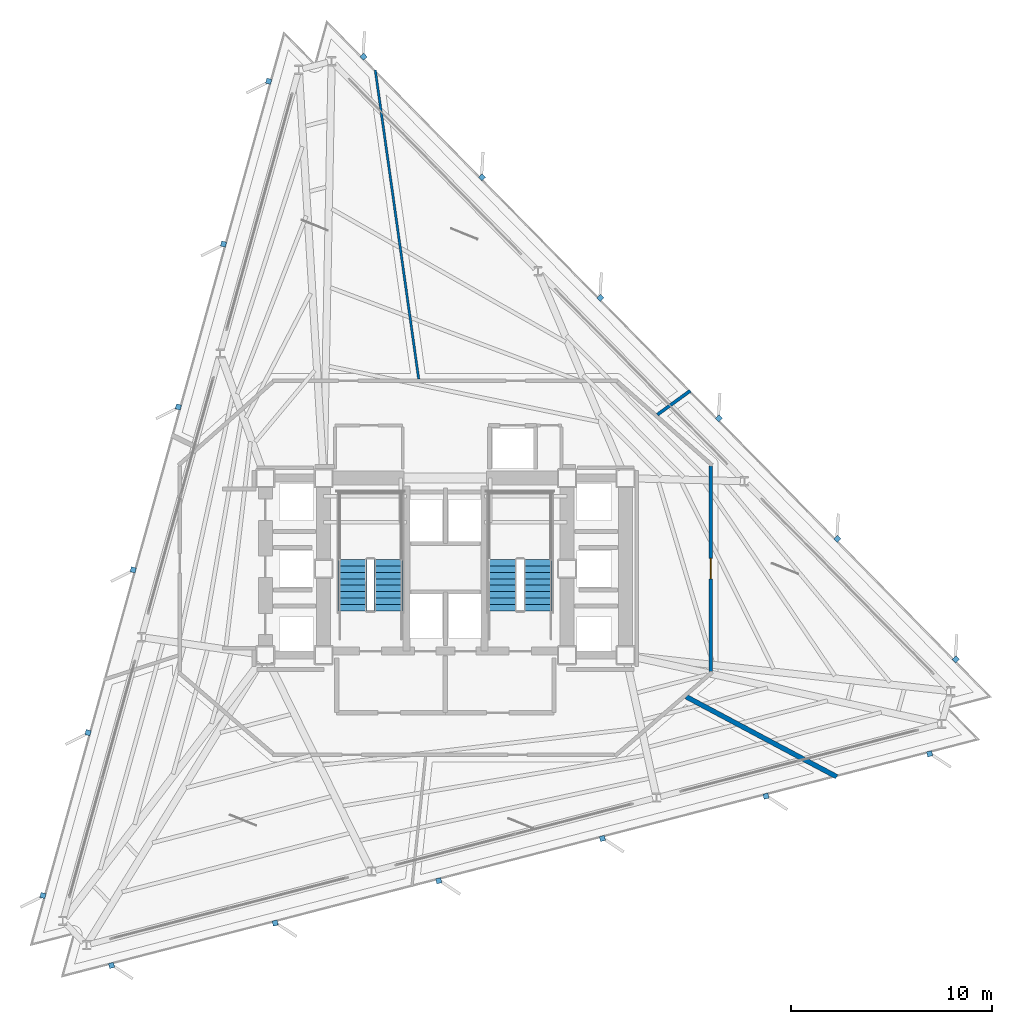
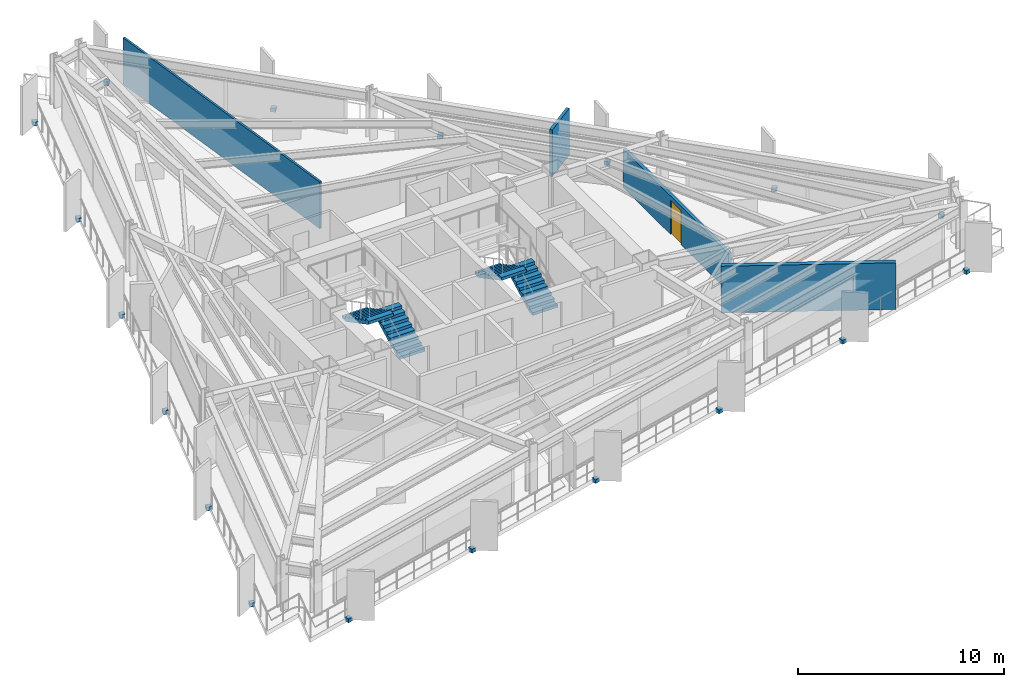
# One storey, part 8 of 11: 18 discrete accessories, 4 stair flights, 4 walls, 1 door, 1 opening, 2 elements without a shape of their own.
"""IFC4 building model written with IfcOpenShell, lengths in metres."""

import ifcopenshell
import ifcopenshell.guid

model = None  # the IFC model being written
_history = None  # IfcOwnerHistory: only IFC2X3 demands one
_inside = {}  # id of a spatial element -> (the spatial element, [elements in it])
_under = {}  # id of a project, library or spatial element -> (it, [spatial elements below it])
_declared = {}  # id of a project -> (the project, [libraries it declares])
_typed = {}  # id of a type object -> (the type object, [elements of that type])
_made_of = {}  # id of a material, layer set ... -> (it, [elements and type objects made of it])


def new_model(schema):
    """Start an empty IFC model of exactly this schema.

    Asked for "IFC4X3", IfcOpenShell would pick the latest addendum, in which some entities
    have other attributes; the version numbers below select the first issue.
    IFC2X3 requires an IfcOwnerHistory on every rooted entity: one is made here for all.
    """
    global model, _history
    if schema == "IFC4X3":
        model = ifcopenshell.file(schema_version=(4, 3, 0, 0))
    else:
        model = ifcopenshell.file(schema=schema)
    _inside.clear()
    _under.clear()
    _declared.clear()
    _typed.clear()
    _made_of.clear()
    _history = None
    if model.schema == "IFC2X3":
        org = make("IfcOrganization", Name="unknown")
        user = make(
            "IfcPersonAndOrganization",
            ThePerson=make("IfcPerson", FamilyName="unknown"),
            TheOrganization=org,
        )
        app = make(
            "IfcApplication",
            ApplicationDeveloper=org,
            Version="unknown",
            ApplicationFullName="unknown",
            ApplicationIdentifier="unknown",
        )
        _history = make(
            "IfcOwnerHistory",
            OwningUser=user,
            OwningApplication=app,
            ChangeAction="ADDED",
            CreationDate=0,
        )
    return model


def make(cls, **values):
    """One entity of the class cls with the attributes given. An attribute that is None is left unset."""
    return model.create_entity(
        cls, **{name: value for name, value in values.items() if value is not None}
    )


def rooted(cls, **values):
    """An entity with a GlobalId (a new one), such as an element, a storey or a relation."""
    return make(cls, GlobalId=ifcopenshell.guid.new(), OwnerHistory=_history, **values)


def si_unit(unit_type, name, prefix=None):
    """IfcSIUnit, for example si_unit("LENGTHUNIT", "METRE", prefix="MILLI")."""
    return make("IfcSIUnit", UnitType=unit_type, Prefix=prefix, Name=name)


def assignment(units):
    """IfcUnitAssignment: the units of a project."""
    return None if units is None else make("IfcUnitAssignment", Units=units)


def point(xyz):
    """IfcCartesianPoint."""
    return None if xyz is None else make("IfcCartesianPoint", Coordinates=xyz)


def direction(xyz):
    """IfcDirection."""
    return None if xyz is None else make("IfcDirection", DirectionRatios=xyz)


def frame(location, z_axis=None, x_axis=None):
    """IfcAxis2Placement3D, a coordinate frame: its origin and axes. An axis left out is left unset."""
    return make(
        "IfcAxis2Placement3D",
        Location=point(location),
        Axis=direction(z_axis),
        RefDirection=direction(x_axis),
    )


def frame_2d(location, x_axis=None):
    """IfcAxis2Placement2D, a coordinate frame in the plane: its origin and x axis."""
    return make(
        "IfcAxis2Placement2D", Location=point(location), RefDirection=direction(x_axis)
    )


def origin():
    """The frame at (0, 0, 0) with its axes left unset."""
    return frame((0.0, 0.0, 0.0))


def origin_2d():
    """The frame at (0, 0) in the plane with its x axis left unset."""
    return frame_2d((0.0, 0.0))


def place(relative_to, where):
    """IfcLocalPlacement: puts the frame where relative to a parent placement (None: the world)."""
    return make(
        "IfcLocalPlacement", PlacementRelTo=relative_to, RelativePlacement=where
    )


def context(
    kind, dimensions, precision=None, world=None, true_north=None, identifier=None
):
    """IfcGeometricRepresentationContext, for example the 3D "Model" context."""
    return make(
        "IfcGeometricRepresentationContext",
        ContextIdentifier=identifier,
        ContextType=kind,
        CoordinateSpaceDimension=dimensions,
        Precision=precision,
        WorldCoordinateSystem=world,
        TrueNorth=true_north,
    )


def subcontext(parent, identifier, kind, view, scale=None):
    """IfcGeometricRepresentationSubContext, for example "Body" below "Model"."""
    return make(
        "IfcGeometricRepresentationSubContext",
        ContextIdentifier=identifier,
        ContextType=kind,
        ParentContext=parent,
        TargetScale=scale,
        TargetView=view,
    )


def project(units=None, contexts=None):
    """IfcProject with its units and contexts."""
    return rooted(
        "IfcProject",
        Name="project",
        RepresentationContexts=contexts,
        UnitsInContext=assignment(units),
    )


def spatial(cls, under=None, at=None, **own):
    """A site, building, storey or space (cls), placed at a placement, below another one or the project."""
    s = rooted(cls, ObjectPlacement=at, **own)
    if under is not None:
        _under.setdefault(under.id(), (under, []))[1].append(s)
    return s


def polyline(points):
    """IfcPolyline through the points."""
    return make("IfcPolyline", Points=[point(p) for p in points])


def profile(cls, at=None, kind="AREA", **sizes):
    """A parametric profile (cls). Its sizes go by their IFC names, for example OverallWidth=200.0."""
    return make(cls, ProfileType=kind, Position=at, **sizes)


def rectangle(**sizes):
    """IfcRectangleProfileDef."""
    return profile("IfcRectangleProfileDef", **sizes)


def outline(outer, holes=None, kind="AREA"):
    """IfcArbitraryClosedProfileDef: a profile drawn as a closed curve; with holes, ...WithVoids."""
    if holes is None:
        return make("IfcArbitraryClosedProfileDef", ProfileType=kind, OuterCurve=outer)
    return make(
        "IfcArbitraryProfileDefWithVoids",
        ProfileType=kind,
        OuterCurve=outer,
        InnerCurves=holes,
    )


def extrude(swept, where, along, depth):
    """IfcExtrudedAreaSolid: the profile swept, set in the frame where, extruded along a direction by depth."""
    return make(
        "IfcExtrudedAreaSolid",
        SweptArea=swept,
        Position=where,
        ExtrudedDirection=direction(along),
        Depth=depth,
    )


def shape(context_of_items, identifier, shape_type, items):
    """IfcShapeRepresentation: the items that make up one representation, for example the "Body"."""
    return make(
        "IfcShapeRepresentation",
        ContextOfItems=context_of_items,
        RepresentationIdentifier=identifier,
        RepresentationType=shape_type,
        Items=items,
    )


def material(Name=None, Category=None):
    """IfcMaterial."""
    return make("IfcMaterial", Name=Name, Category=Category)


def layer(
    of_material, thickness, ventilated=None, Name=None, Category=None, Priority=None
):
    """IfcMaterialLayer: one layer of a wall or slab, of a material (None: an air gap)."""
    return make(
        "IfcMaterialLayer",
        Material=of_material,
        LayerThickness=thickness,
        IsVentilated=ventilated,
        Name=Name,
        Category=Category,
        Priority=Priority,
    )


def layer_set(layers, Name=None):
    """IfcMaterialLayerSet."""
    return make("IfcMaterialLayerSet", MaterialLayers=layers, LayerSetName=Name)


def made_of(thing, what):
    """Note that an element or type object is made of a material, layer set ...; save() writes the relation."""
    if what is not None:
        _made_of.setdefault(what.id(), (what, []))[1].append(thing)
    return thing


def type_object(cls, material=None, **own):
    """A type object (cls), such as IfcWallType, which elements share."""
    return made_of(rooted(cls, **own), material)


def element(
    cls,
    number,
    at=None,
    inside=None,
    cuts=None,
    type_object=None,
    material=None,
    context=None,
    identifier="Body",
    shape_type=None,
    held_by="IfcProductDefinitionShape",
    body=None,
    shapes=None,
    **own,
):
    """One element of the class cls, such as IfcWall. Its Tag is "e" and its number.

    at: its placement. inside: the storey or other place that contains it. cuts: it is an
    opening in that element (IfcRelVoidsElement). A single representation is given by context,
    identifier, shape_type and body (its items); several are given by shapes. held_by: the class
    of the entity that holds the representations. save() writes the other relations.
    """
    e = rooted(cls, Tag="e%d" % number, ObjectPlacement=at, **own)
    if body is not None:
        shapes = [shape(context, identifier, shape_type, body)]
    if shapes is not None:
        e.Representation = make(held_by, Representations=shapes)
    if inside is not None:
        _inside.setdefault(inside.id(), (inside, []))[1].append(e)
    if cuts is not None:
        rooted(
            "IfcRelVoidsElement", RelatingBuildingElement=cuts, RelatedOpeningElement=e
        )
    if type_object is not None:
        _typed.setdefault(type_object.id(), (type_object, []))[1].append(e)
    return made_of(e, material)


def fill(opening, filler):
    """IfcRelFillsElement: the door or window that sits in an opening."""
    return rooted(
        "IfcRelFillsElement",
        RelatingOpeningElement=opening,
        RelatedBuildingElement=filler,
    )


def aggregate(whole, parts):
    """IfcRelAggregates: a whole, such as a stair, and the parts it consists of."""
    return rooted("IfcRelAggregates", RelatingObject=whole, RelatedObjects=parts)


def save(model, path):
    """Write the relations noted so far, then the file.

    IfcRelAggregates (storeys below a building ...), IfcRelContainedInSpatialStructure (elements
    in a storey), IfcRelDefinesByType, IfcRelAssociatesMaterial and IfcRelDeclares: one each for
    every whole, place, type object, material and project.
    """
    for whole, parts in _under.values():
        aggregate(whole, parts)
    for where, things in _inside.values():
        rooted(
            "IfcRelContainedInSpatialStructure",
            RelatedElements=things,
            RelatingStructure=where,
        )
    for kind, things in _typed.values():
        rooted("IfcRelDefinesByType", RelatedObjects=things, RelatingType=kind)
    for what, things in _made_of.values():
        rooted("IfcRelAssociatesMaterial", RelatedObjects=things, RelatingMaterial=what)
    for by, libraries in _declared.values():
        rooted("IfcRelDeclares", RelatingContext=by, RelatedDefinitions=libraries)
    model.write(path)


model = new_model("IFC4")

# Units and contexts
model_context = context("Model", 3, precision=1e-05, world=origin(), true_north=direction((0.0, 1.0)))
body_context = subcontext(model_context, "Body", "Model", "MODEL_VIEW")
ifc_project = project(units=[si_unit("LENGTHUNIT", "METRE"), si_unit("AREAUNIT", "SQUARE_METRE"), si_unit("VOLUMEUNIT", "CUBIC_METRE"), si_unit("PLANEANGLEUNIT", "RADIAN"), si_unit("MASSUNIT", "GRAM", prefix="KILO")], contexts=[model_context])

# Site, building, storey
site_placement = place(None, origin())
site = spatial("IfcSite", under=ifc_project, at=site_placement, CompositionType="ELEMENT")
building_placement = place(site_placement, origin())
building = spatial("IfcBuilding", under=site, at=building_placement, Name="Rocaltana Carrier Exchange", CompositionType="ELEMENT")
storey_placement = place(building_placement, frame((0.0, 0.0, 85.60009765625)))
storey = spatial("IfcBuildingStorey", under=building, at=storey_placement, Name="L26", CompositionType="ELEMENT", Elevation=85.60009765625)

# Wall
ifc_material_1 = material(Name="Double Acoustic Gypsum Partition", Category="gypsum")
ifc_layer_1 = layer(ifc_material_1, 0.159912109375)
ifc_layer_set_1 = layer_set([ifc_layer_1], Name="Double Acoustic Gypsum Partition")
wall_type_1 = type_object("IfcWallType", Name="Acoustic Studio Partition 160 EI60", PredefinedType="PARTITIONING", material=ifc_layer_set_1)
wall_1_placement = place(storey_placement, frame((10.53857421875, 7.65673828125, 0.0), z_axis=(0.0, 0.0, 1.0), x_axis=(0.809038430179, 0.587755747308, 0.0)))
element("IfcWall", 1, at=wall_1_placement, inside=storey, type_object=wall_type_1, Name="L26 Suite Divider Wall D4", PredefinedType="PARTITIONING", context=body_context, shape_type="SweptSolid", body=[
    extrude(rectangle(XDim=2.024658203125, YDim=0.159912109375, at=frame_2d((1.01220703125, 0.0))), origin(), (0.0, 0.0, 1.0), 2.762939453125),
])

# Wall, opening, door
ifc_material_2 = material(Name="Gypsum & Steel Stud Partition", Category="steel")
ifc_layer_2 = layer(ifc_material_2, 0.179931640625)
ifc_layer_set_2 = layer_set([ifc_layer_2], Name="Gypsum & Steel Stud Partition")
wall_type_2 = type_object("IfcWallType", Name="Corridor Fire Partition 180 EI60", PredefinedType="PARTITIONING", material=ifc_layer_set_2)
wall_2_placement = place(storey_placement, frame((13.199951171875, 5.110107421875, 0.0), z_axis=(0.0, 0.0, 1.0), x_axis=(0.0, -1.0, 0.0)))
wall_2 = element("IfcWall", 2, at=wall_2_placement, inside=storey, type_object=wall_type_2, Name="L26 Corridor Partition 3", PredefinedType="PARTITIONING", context=body_context, shape_type="SweptSolid", body=[
    extrude(rectangle(XDim=10.22021484375, YDim=0.179931640625, at=frame_2d((5.110107421875, 0.0))), origin(), (0.0, 0.0, 1.0), 2.27685546875),
])
opening_placement = place(wall_2_placement, frame((4.60009765625, 0.0, 0.0)))
opening = element("IfcOpeningElement", 3, at=opening_placement, cuts=wall_2, Name="Opening D-LB104", PredefinedType="OPENING", context=body_context, shape_type="SweptSolid", body=[
    extrude(rectangle(XDim=1.02001953125, YDim=2.02001953125, at=frame_2d((0.510009765625, 1.010009765625))), frame((0.0, 0.099853515625, 0.0), z_axis=(0.0, -1.0, 0.0), x_axis=(1.0, 0.0, 0.0)), (0.0, 0.0, 1.0), 0.199951171875),
])
ifc_material_3 = material(Name="Powder-Coated Aluminium 6063-T6", Category="aluminium")
door_type = type_object("IfcDoorType", Name="Laboratory Acoustic Door 1020x2020", OperationType="NOTDEFINED", PredefinedType="DOOR", material=ifc_material_3)
door_placement = place(opening_placement, origin())
door = element("IfcDoor", 4, at=door_placement, inside=storey, type_object=door_type, Name="L26 Optical Switching Laboratory Entrance Door", OperationType="SINGLE_SWING_LEFT", OverallHeight=2.02001953125, OverallWidth=1.02001953125, PredefinedType="DOOR", context=body_context, shape_type="SweptSolid", body=[
    extrude(rectangle(XDim=1.02001953125, YDim=2.02001953125, at=frame_2d((0.510009765625, 1.010009765625))), frame((0.0, 0.02490234375, 0.0), z_axis=(0.0, -1.0, 0.0), x_axis=(1.0, 0.0, 0.0)), (0.0, 0.0, 1.0), 0.050048828125),
])
fill(opening, door)

# Walls
ifc_material_4 = material(Name="Aluminium 6063-T6 & Acoustic Glass", Category="aluminium")
ifc_layer_3 = layer(ifc_material_4, 0.114990234375)
ifc_layer_set_3 = layer_set([ifc_layer_3], Name="Aluminium 6063-T6 & Acoustic Glass")
wall_type_3 = type_object("IfcWallType", Name="Demountable Glazed Lab Partition 115", PredefinedType="MOVABLE", material=ifc_layer_set_3)
wall_3_placement = place(storey_placement, frame((-1.3251953125, 9.429931640625, 0.0), z_axis=(0.0, 0.0, 1.0), x_axis=(-0.139183166437, 0.990266654079, 0.0)))
element("IfcWall", 5, at=wall_3_placement, inside=storey, type_object=wall_type_3, Name="L26 Suite Divider Wall D5", PredefinedType="MOVABLE", context=body_context, shape_type="SweptSolid", body=[
    extrude(rectangle(XDim=15.502685546875, YDim=0.114990234375, at=frame_2d((7.75146484375, 0.0))), origin(), (0.0, 0.0, 1.0), 2.762939453125),
])
ifc_material_5 = material(Name="Acoustic Calcium Silicate Partition", Category="gypsum")
ifc_layer_4 = layer(ifc_material_5, 0.239990234375)
ifc_layer_set_4 = layer_set([ifc_layer_4], Name="Acoustic Calcium Silicate Partition")
wall_type_4 = type_object("IfcWallType", Name="Heavy Lab Partition 240 EI90", PredefinedType="PARTITIONING", material=ifc_layer_set_4)
wall_4_placement = place(storey_placement, frame((11.970703125, -6.364990234375, 0.0), z_axis=(0.0, 0.0, 1.0), x_axis=(0.882953434006, -0.469460577021, 0.0)))
element("IfcWall", 6, at=wall_4_placement, inside=storey, type_object=wall_type_4, Name="L26 Suite Divider Wall D3", PredefinedType="PARTITIONING", context=body_context, shape_type="SweptSolid", body=[
    extrude(rectangle(XDim=8.4755859375, YDim=0.239990234375, at=frame_2d((4.23779296875, 0.0))), origin(), (0.0, 0.0, 1.0), 2.762939453125),
])

# Stair, stair flights
ifc_material_6 = material(Name="Precast concrete C45/55", Category="concrete")
stair_type = type_object("IfcStairType", Name="Standard Dog-Leg Stair 160", PredefinedType="HALF_TURN_STAIR", material=ifc_material_6)
stair_1_placement = place(storey_placement, origin())
stair_1 = element("IfcStair", 7, at=stair_1_placement, inside=storey, type_object=stair_type, Name="L26 Core West Exit Stair ST-1", PredefinedType="HALF_TURN_STAIR")
ifc_material_7 = material(Name="Precast concrete C45/55", Category="concrete")
stair_flight_type = type_object("IfcStairFlightType", Name="Precast Stair Flight 160", PredefinedType="STRAIGHT", material=ifc_material_7)
stair_flight_1_placement = place(storey_placement, frame((-2.840087890625, -2.10009765625, 0.0), z_axis=(0.0, 0.0, 1.0), x_axis=(0.0, 1.0, 0.0)))
stair_flight_1 = element("IfcStairFlight", 8, at=stair_flight_1_placement, type_object=stair_flight_type, Name="ST-1 flight 1", NumberOfRisers=9, NumberOfTreads=8, PredefinedType="STRAIGHT", RiserHeight=0.168888889, TreadLength=0.32, context=body_context, shape_type="SweptSolid", body=[
    extrude(outline(polyline([(0.0, 0.0), (0.0, 0.1689453125), (0.320068359375, 0.1689453125), (0.320068359375, 0.337890625), (0.639892578125, 0.337890625), (0.639892578125, 0.506591796875), (0.9599609375, 0.506591796875), (0.9599609375, 0.675537109375), (1.280029296875, 0.675537109375), (1.280029296875, 0.844482421875), (1.60009765625, 0.844482421875), (1.60009765625, 1.013427734375), (1.919921875, 1.013427734375), (1.919921875, 1.18212890625), (2.239990234375, 1.18212890625), (2.239990234375, 1.35107421875), (2.56005859375, 1.35107421875), (2.56005859375, 1.52001953125), (2.56005859375, 1.17041015625), (0.342529296875, 0.0), (0.0, 0.0)])), frame((0.0, 0.699951171875, 0.0), z_axis=(0.0, -1.0, 0.0), x_axis=(1.0, 0.0, 0.0)), (0.0, 0.0, 1.0), 1.39990234375),
])
stair_flight_2_placement = place(storey_placement, frame((-4.60009765625, 0.4599609375, 1.52001953125), z_axis=(0.0, 0.0, 1.0), x_axis=(0.0, -1.0, 0.0)))
stair_flight_2 = element("IfcStairFlight", 9, at=stair_flight_2_placement, type_object=stair_flight_type, Name="ST-1 flight 2", NumberOfRisers=9, NumberOfTreads=8, PredefinedType="STRAIGHT", RiserHeight=0.168888889, TreadLength=0.32, context=body_context, shape_type="SweptSolid", body=[
    extrude(outline(polyline([(0.0, 0.0), (0.0, 0.1689453125), (0.320068359375, 0.1689453125), (0.320068359375, 0.337890625), (0.639892578125, 0.337890625), (0.639892578125, 0.506591796875), (0.9599609375, 0.506591796875), (0.9599609375, 0.675537109375), (1.280029296875, 0.675537109375), (1.280029296875, 0.844482421875), (1.60009765625, 0.844482421875), (1.60009765625, 1.013427734375), (1.919921875, 1.013427734375), (1.919921875, 1.18212890625), (2.239990234375, 1.18212890625), (2.239990234375, 1.35107421875), (2.56005859375, 1.35107421875), (2.56005859375, 1.52001953125), (2.56005859375, 1.17041015625), (0.342529296875, 0.0), (0.0, 0.0)])), frame((0.0, 0.699951171875, 0.0), z_axis=(0.0, -1.0, 0.0), x_axis=(1.0, 0.0, 0.0)), (0.0, 0.0, 1.0), 1.39990234375),
])
aggregate(stair_1, [stair_flight_1, stair_flight_2])

stair_2_placement = place(storey_placement, origin())
stair_2 = element("IfcStair", 10, at=stair_2_placement, inside=storey, type_object=stair_type, Name="L26 Core East Exit Stair ST-2", PredefinedType="HALF_TURN_STAIR")
stair_flight_3_placement = place(storey_placement, frame((4.60009765625, -2.10009765625, 0.0), z_axis=(0.0, 0.0, 1.0), x_axis=(0.0, 1.0, 0.0)))
stair_flight_3 = element("IfcStairFlight", 11, at=stair_flight_3_placement, type_object=stair_flight_type, Name="ST-2 flight 1", NumberOfRisers=9, NumberOfTreads=8, PredefinedType="STRAIGHT", RiserHeight=0.168888889, TreadLength=0.32, context=body_context, shape_type="SweptSolid", body=[
    extrude(outline(polyline([(0.0, 0.0), (0.0, 0.1689453125), (0.320068359375, 0.1689453125), (0.320068359375, 0.337890625), (0.639892578125, 0.337890625), (0.639892578125, 0.506591796875), (0.9599609375, 0.506591796875), (0.9599609375, 0.675537109375), (1.280029296875, 0.675537109375), (1.280029296875, 0.844482421875), (1.60009765625, 0.844482421875), (1.60009765625, 1.013427734375), (1.919921875, 1.013427734375), (1.919921875, 1.18212890625), (2.239990234375, 1.18212890625), (2.239990234375, 1.35107421875), (2.56005859375, 1.35107421875), (2.56005859375, 1.52001953125), (2.56005859375, 1.17041015625), (0.342529296875, 0.0), (0.0, 0.0)])), frame((0.0, 0.699951171875, 0.0), z_axis=(0.0, -1.0, 0.0), x_axis=(1.0, 0.0, 0.0)), (0.0, 0.0, 1.0), 1.39990234375),
])
stair_flight_4_placement = place(storey_placement, frame((2.840087890625, 0.4599609375, 1.52001953125), z_axis=(0.0, 0.0, 1.0), x_axis=(0.0, -1.0, 0.0)))
stair_flight_4 = element("IfcStairFlight", 12, at=stair_flight_4_placement, type_object=stair_flight_type, Name="ST-2 flight 2", NumberOfRisers=9, NumberOfTreads=8, PredefinedType="STRAIGHT", RiserHeight=0.168888889, TreadLength=0.32, context=body_context, shape_type="SweptSolid", body=[
    extrude(outline(polyline([(0.0, 0.0), (0.0, 0.1689453125), (0.320068359375, 0.1689453125), (0.320068359375, 0.337890625), (0.639892578125, 0.337890625), (0.639892578125, 0.506591796875), (0.9599609375, 0.506591796875), (0.9599609375, 0.675537109375), (1.280029296875, 0.675537109375), (1.280029296875, 0.844482421875), (1.60009765625, 0.844482421875), (1.60009765625, 1.013427734375), (1.919921875, 1.013427734375), (1.919921875, 1.18212890625), (2.239990234375, 1.18212890625), (2.239990234375, 1.35107421875), (2.56005859375, 1.35107421875), (2.56005859375, 1.52001953125), (2.56005859375, 1.17041015625), (0.342529296875, 0.0), (0.0, 0.0)])), frame((0.0, 0.699951171875, 0.0), z_axis=(0.0, -1.0, 0.0), x_axis=(1.0, 0.0, 0.0)), (0.0, 0.0, 1.0), 1.39990234375),
])
aggregate(stair_2, [stair_flight_3, stair_flight_4])

# Discrete accessories
ifc_material_8 = material(Name="Brushed Architectural Stainless Metal", Category="steel")
ifc_layer_5 = layer(ifc_material_8, 0.219970703125)
ifc_layer_set_5 = layer_set([ifc_layer_5], Name="Brushed Architectural Stainless Metal")
discrete_accessory_type = type_object("IfcDiscreteAccessoryType", Name="Stainless Fin Slab-Edge Bracket 260x260x220", PredefinedType="BRACKET", material=ifc_layer_set_5)
for number, where, z_axis, x_axis, name in (
    (13, (25.371826171875, -4.509765625, -0.2099609375), (0.0, 0.0, 1.0), (-0.7009092643, 0.713250449154, 0.0), "L26 Sandstone Fin Edge Bracket F1-01"),
    (14, (19.484375, 1.481689453125, -0.2099609375), (0.0, 0.0, 1.0), (-0.7009092643, 0.713250449154, 0.0), "L26 Sandstone Fin Edge Bracket F1-02"),
    (15, (13.5966796875, 7.472900390625, -0.2099609375), (0.0, 0.0, 1.0), (-0.7009092643, 0.713250449154, 0.0), "L26 Sandstone Fin Edge Bracket F1-03"),
    (16, (7.708984375, 13.464111328125, -0.2099609375), (0.0, 0.0, 1.0), (-0.7009092643, 0.713250449154, 0.0), "L26 Sandstone Fin Edge Bracket F1-04"),
    (17, (1.8212890625, 19.45556640625, -0.2099609375), (0.0, 0.0, 1.0), (-0.7009092643, 0.713250449154, 0.0), "L26 Sandstone Fin Edge Bracket F1-05"),
    (18, (-4.066162109375, 25.44677734375, -0.2099609375), (0.0, 0.0, 1.0), (-0.7009092643, 0.713250449154, 0.0), "L26 Sandstone Fin Edge Bracket F1-06"),
    (19, (-8.780517578125, 24.2275390625, -0.2099609375), (0.0, 0.0, 1.0), (-0.267238376078, -0.963630453209, 0.0), "L26 Sandstone Fin Edge Bracket F2-01"),
    (20, (-11.025146484375, 16.133056640625, -0.2099609375), (0.0, 0.0, 1.0), (-0.267238376078, -0.963630453209, 0.0), "L26 Sandstone Fin Edge Bracket F2-02"),
    (21, (-13.27001953125, 8.03857421875, -0.2099609375), (0.0, 0.0, 1.0), (-0.267238376078, -0.963630453209, 0.0), "L26 Sandstone Fin Edge Bracket F2-03"),
    (22, (-15.514892578125, -0.055908203125, -0.2099609375), (0.0, 0.0, 1.0), (-0.267238376078, -0.963630453209, 0.0), "L26 Sandstone Fin Edge Bracket F2-04"),
    (23, (-17.759521484375, -8.150390625, -0.2099609375), (0.0, 0.0, 1.0), (-0.267238376078, -0.963630453209, 0.0), "L26 Sandstone Fin Edge Bracket F2-05"),
    (24, (-20.00439453125, -16.244873046875, -0.2099609375), (0.0, 0.0, 1.0), (-0.267238376078, -0.963630453209, 0.0), "L26 Sandstone Fin Edge Bracket F2-06"),
    (25, (-16.591552734375, -19.718017578125, -0.2099609375), (0.0, 0.0, 1.0), (0.968147640378, 0.250380004054, 0.0), "L26 Sandstone Fin Edge Bracket F3-01"),
    (26, (-8.458984375, -17.61474609375, -0.2099609375), (0.0, 0.0, 1.0), (0.968147640378, 0.250380004054, 0.0), "L26 Sandstone Fin Edge Bracket F3-02"),
    (27, (-0.32666015625, -15.511474609375, -0.2099609375), (0.0, 0.0, 1.0), (0.968147640378, 0.250380004054, 0.0), "L26 Sandstone Fin Edge Bracket F3-03"),
    (28, (7.805908203125, -13.408203125, -0.2099609375), (0.0, 0.0, 1.0), (0.968147640378, 0.250380004054, 0.0), "L26 Sandstone Fin Edge Bracket F3-04"),
    (29, (15.938232421875, -11.30517578125, -0.2099609375), (0.0, 0.0, 1.0), (0.968147640378, 0.250380004054, 0.0), "L26 Sandstone Fin Edge Bracket F3-05"),
    (30, (24.07080078125, -9.201904296875, -0.2099609375), (0.0, 0.0, 1.0), (0.968147640378, 0.250380004054, 0.0), "L26 Sandstone Fin Edge Bracket F3-06"),
):
    element("IfcDiscreteAccessory", number, at=place(storey_placement, frame(where, z_axis=z_axis, x_axis=x_axis)), inside=storey, type_object=discrete_accessory_type, Name=name, PredefinedType="BRACKET", context=body_context, shape_type="SweptSolid", body=[
        extrude(rectangle(XDim=0.260009765625, YDim=0.260009765625, at=origin_2d()), origin(), (0.0, 0.0, 1.0), 0.219970703125),
    ])

save(model, "model.ifc")
